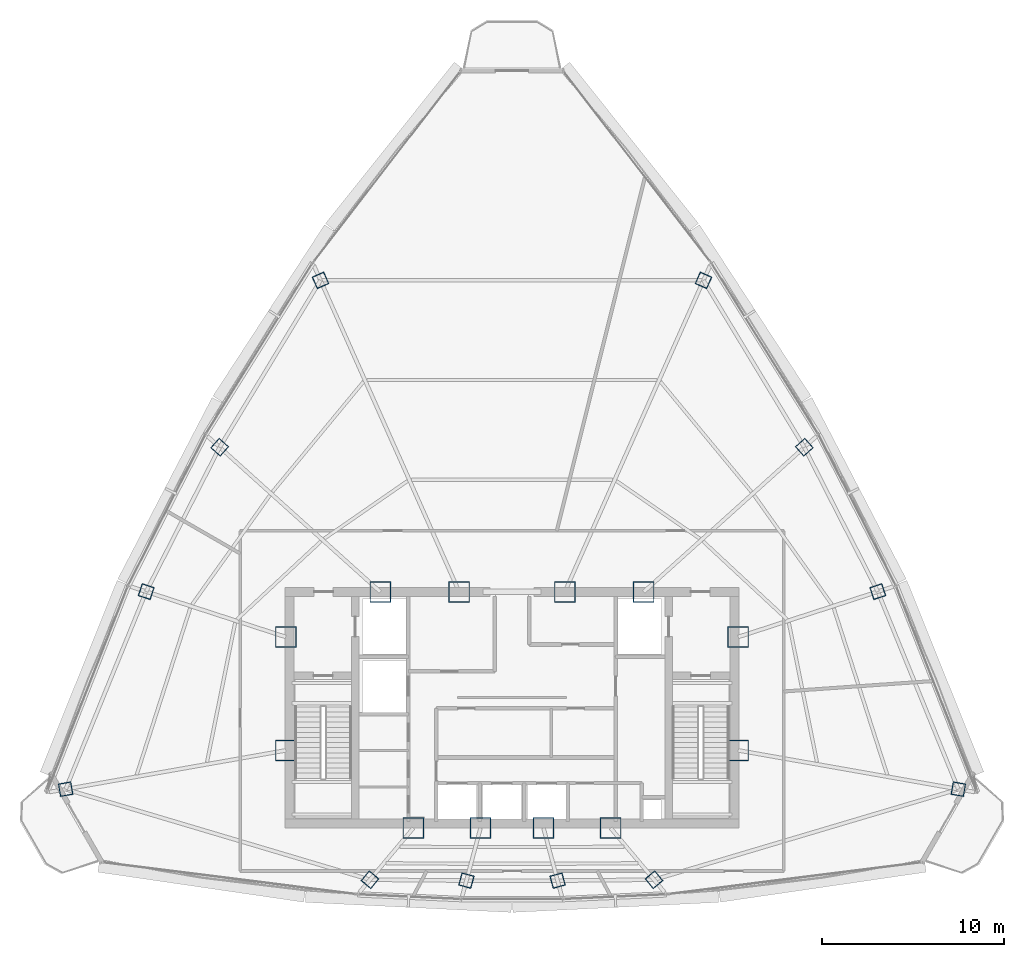
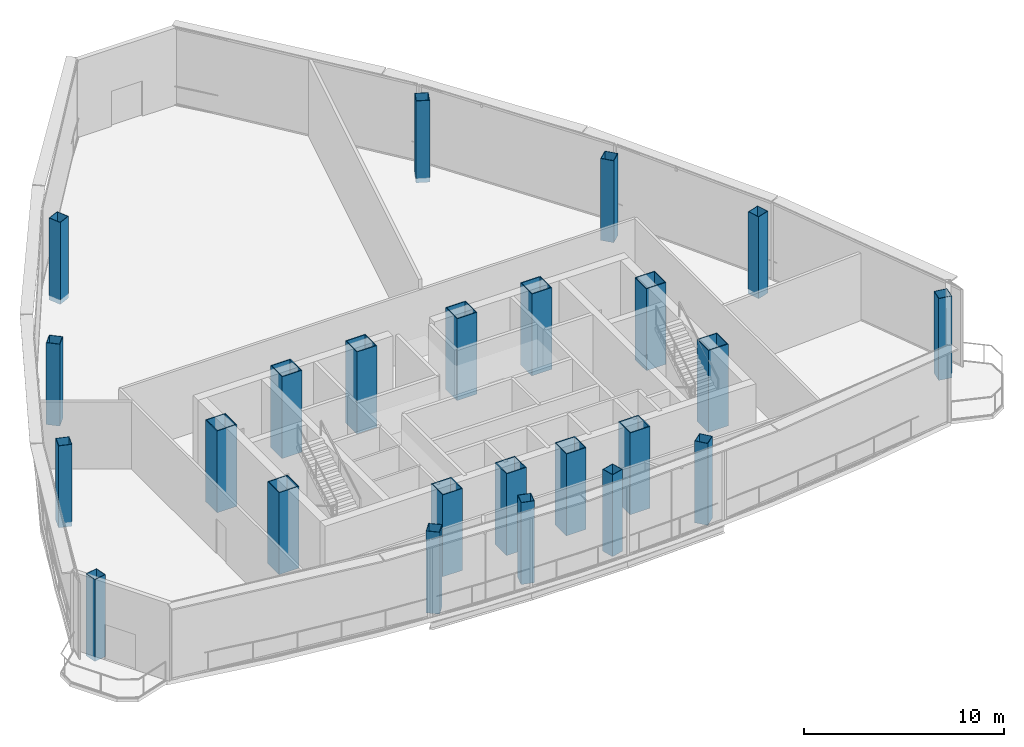
# One storey, part 1 of 29: 24 columns.
"""IFC4 building model written with IfcOpenShell, lengths in metres."""

from ifc_helpers import new_model, si_unit, direction, frame, origin, origin_2d, place, context, subcontext, project, spatial, hollow_rectangle, extrude, source, transform, mapped, material, material_profile, profile_set, type_object, element, save


model = new_model("IFC4")

# Units and contexts
model_context = context("Model", 3, precision=1e-05, world=origin(), true_north=direction((0.0, 1.0)))
body_context = subcontext(model_context, "Body", "Model", "MODEL_VIEW")
ifc_project = project(units=[si_unit("LENGTHUNIT", "METRE"), si_unit("AREAUNIT", "SQUARE_METRE"), si_unit("VOLUMEUNIT", "CUBIC_METRE"), si_unit("PLANEANGLEUNIT", "RADIAN"), si_unit("MASSUNIT", "GRAM", prefix="KILO"), si_unit("THERMODYNAMICTEMPERATUREUNIT", "KELVIN"), si_unit("POWERUNIT", "WATT")], contexts=[model_context])

# Site, building, storey
site_placement = place(None, origin())
site = spatial("IfcSite", under=ifc_project, at=site_placement, CompositionType="ELEMENT")
building_placement = place(site_placement, origin())
building = spatial("IfcBuilding", under=site, at=building_placement, Name="Yunzhuo Pagoda Commons", CompositionType="ELEMENT")
storey_placement = place(building_placement, frame((0.0, 0.0, 366.760009765625)))
storey = spatial("IfcBuildingStorey", under=building, at=storey_placement, Name="L92", CompositionType="ELEMENT", Elevation=366.760009765625)

# Columns
ifc_material_1 = material(Name="Structural steel Q420B", Category="steel")
ifc_material_profile_1 = material_profile(ifc_material_1, hollow_rectangle(XDim=1.14990234375, YDim=1.14990234375, WallThickness=0.048095703125, at=origin_2d()), Name="Structural steel Q420B")
ifc_profile_set_1 = profile_set([ifc_material_profile_1], Name="Structural steel Q420B")
column_type_1 = type_object("IfcColumnType", Name="C-COR Column BOX 1150x1150x48", PredefinedType="COLUMN", material=ifc_profile_set_1)
shared_shape_1 = source(origin(), body_context, "Body", "SweptSolid", [
    extrude(hollow_rectangle(XDim=1.14990234375, YDim=1.14990234375, WallThickness=0.048095703125, at=origin_2d()), origin(), (0.0, 0.0, 1.0), 5.0),
])
for number, where, z_axis, x_axis, name in (
    (1, (42.587890625, 27.25, -0.27978515625), (0.0, 0.0, 1.0), (1.0, 0.0, 0.0), "L92 core composite column F1C1"),
    (2, (46.27197265625, 27.25, -0.27978515625), (0.0, 0.0, 1.0), (1.0, 0.0, 0.0), "L92 core composite column F1C2"),
    (3, (49.728515625, 27.25, -0.27978515625), (0.0, 0.0, 1.0), (1.0, 0.0, 0.0), "L92 core composite column F1C3"),
    (4, (53.412109375, 27.25, -0.27978515625), (0.0, 0.0, 1.0), (1.0, 0.0, 0.0), "L92 core composite column F1C4"),
    (5, (60.39990234375, 31.513427734375, -0.27978515625), (0.0, 0.0, 1.0), (1.0, 0.0, 0.0), "L92 core composite column F2C1"),
    (6, (60.39990234375, 37.72900390625, -0.27978515625), (0.0, 0.0, 1.0), (1.0, 0.0, 0.0), "L92 core composite column F2C2"),
    (7, (55.218994140625, 40.199951171875, -0.27978515625), (0.0, 0.0, 1.0), (1.0, 0.0, 0.0), "L92 core composite column F2C3"),
    (8, (50.89404296875, 40.199951171875, -0.27978515625), (0.0, 0.0, 1.0), (1.0, 0.0, 0.0), "L92 core composite column F2C4"),
    (9, (45.10595703125, 40.199951171875, -0.27978515625), (0.0, 0.0, 1.0), (1.0, 0.0, 0.0), "L92 core composite column F3C1"),
    (10, (40.781005859375, 40.199951171875, -0.27978515625), (0.0, 0.0, 1.0), (1.0, 0.0, 0.0), "L92 core composite column F3C2"),
    (11, (35.60009765625, 37.72900390625, -0.27978515625), (0.0, 0.0, 1.0), (1.0, 0.0, 0.0), "L92 core composite column F3C3"),
    (12, (35.60009765625, 31.513427734375, -0.27978515625), (0.0, 0.0, 1.0), (1.0, 0.0, 0.0), "L92 core composite column F3C4"),
):
    element("IfcColumn", number, at=place(storey_placement, frame(where, z_axis=z_axis, x_axis=x_axis)), inside=storey, type_object=column_type_1, Name=name, PredefinedType="COLUMN", context=body_context, shape_type="MappedRepresentation", body=[
        mapped(shared_shape_1, transform((0.0, 0.0, 0.0), scale=1.0)),
    ])
ifc_material_2 = material(Name="Structural steel Q355B", Category="steel")
ifc_material_profile_2 = material_profile(ifc_material_2, hollow_rectangle(XDim=0.699951171875, YDim=0.699951171875, WallThickness=0.02587890625, at=origin_2d()), Name="Structural steel Q355B")
ifc_profile_set_2 = profile_set([ifc_material_profile_2], Name="Structural steel Q355B")
column_type_2 = type_object("IfcColumnType", Name="C-Z7 Column BOX 700x700x26", PredefinedType="COLUMN", material=ifc_profile_set_2)
shared_shape_2 = source(origin(), body_context, "Body", "SweptSolid", [
    extrude(hollow_rectangle(XDim=0.699951171875, YDim=0.699951171875, WallThickness=0.02587890625, at=origin_2d()), origin(), (0.0, 0.0, 1.0), 5.0),
])
for number, where, z_axis, x_axis, name in (
    (13, (40.214599609375, 24.421630859375, -0.27978515625), (0.0, 0.0, 1.0), (0.766044443119, -0.642787609687, 0.0), "L92 tower column F1C1"),
    (14, (45.500732421875, 24.372802734375, -0.27978515625), (0.0, 0.0, 1.0), (0.965925826289, -0.258819045103, 0.0), "L92 tower column F1C2"),
    (15, (50.499267578125, 24.372802734375, -0.27978515625), (0.0, 0.0, 1.0), (0.965925826289, 0.258819045103, 0.0), "L92 tower column F1C3"),
    (16, (55.785400390625, 24.421630859375, -0.27978515625), (0.0, 0.0, 1.0), (0.766044443119, 0.642787609687, 0.0), "L92 tower column F1C4"),
    (17, (72.47021484375, 29.38525390625, -0.27978515625), (0.0, 0.0, 1.0), (0.173648177667, 0.984807753012, 0.0), "L92 tower column F2C1"),
    (18, (68.053466796875, 40.2158203125, -0.27978515625), (0.0, 0.0, 1.0), (-0.309016994375, 0.951056516295, 0.0), "L92 tower column F2C2"),
    (19, (64.024658203125, 48.128662109375, -0.27978515625), (0.0, 0.0, 1.0), (-0.669130606359, 0.743144825477, 0.0), "L92 tower column F2C3"),
    (20, (58.498779296875, 57.281005859375, -0.27978515625), (0.0, 0.0, 1.0), (-0.913545457643, 0.406736643076, 0.0), "L92 tower column F2C4"),
    (21, (37.501220703125, 57.281005859375, -0.27978515625), (0.0, 0.0, 1.0), (-0.913545457643, -0.406736643076, 0.0), "L92 tower column F3C1"),
    (22, (31.975341796875, 48.128662109375, -0.27978515625), (0.0, 0.0, 1.0), (-0.669130606359, -0.743144825477, 0.0), "L92 tower column F3C2"),
    (23, (27.946533203125, 40.2158203125, -0.27978515625), (0.0, 0.0, 1.0), (-0.309016994375, -0.951056516295, 0.0), "L92 tower column F3C3"),
    (24, (23.52978515625, 29.38525390625, -0.27978515625), (0.0, 0.0, 1.0), (0.173648177667, -0.984807753012, 0.0), "L92 tower column F3C4"),
):
    element("IfcColumn", number, at=place(storey_placement, frame(where, z_axis=z_axis, x_axis=x_axis)), inside=storey, type_object=column_type_2, Name=name, PredefinedType="COLUMN", context=body_context, shape_type="MappedRepresentation", body=[
        mapped(shared_shape_2, transform((0.0, 0.0, 0.0), scale=1.0)),
    ])

save(model, "model.ifc")
